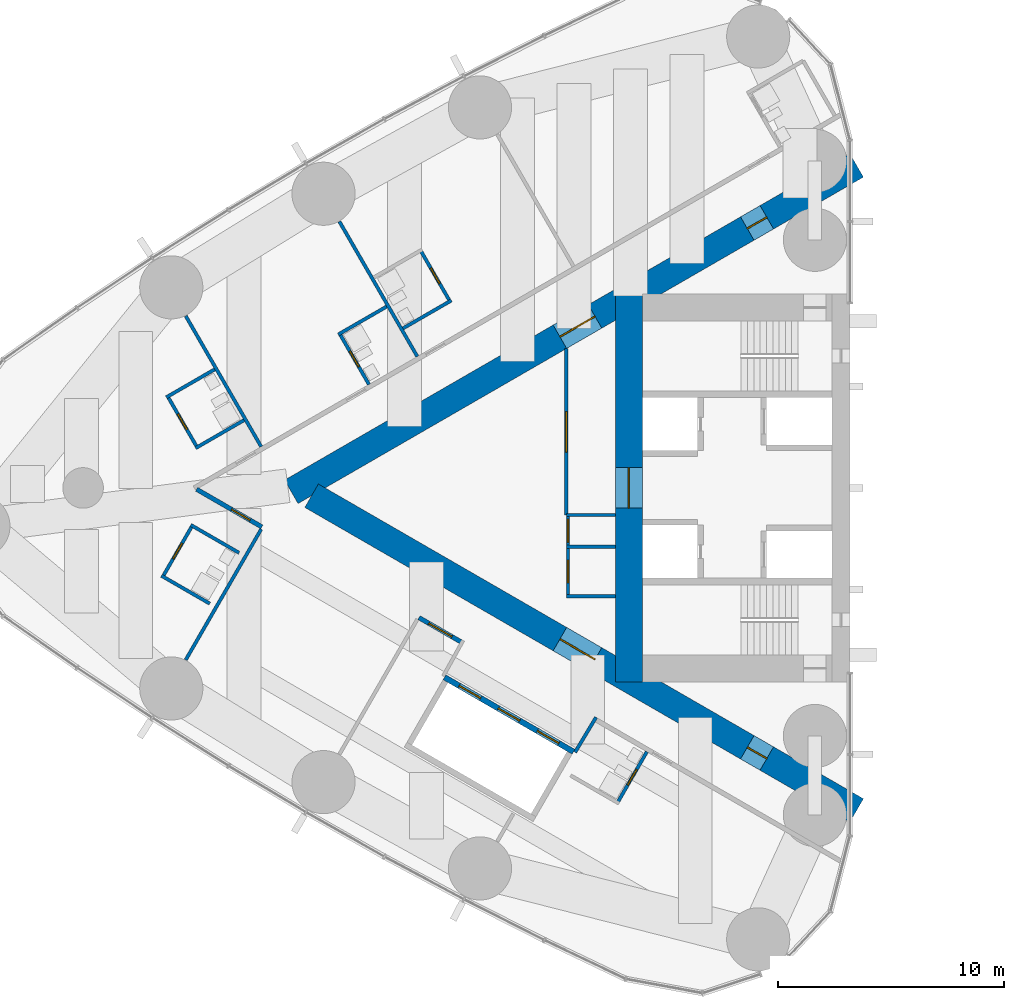
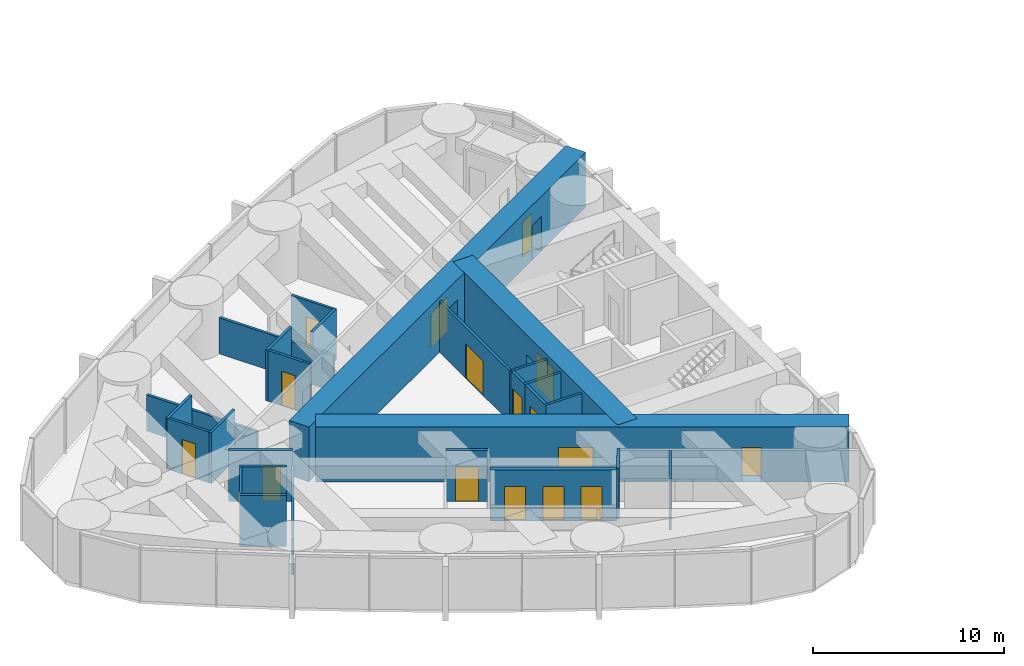
# One storey, part 12 of 19: 27 walls, 18 doors, 18 openings.
"""IFC4 building model written with IfcOpenShell, lengths in metres."""

from ifc_helpers import new_model, si_unit, direction, frame, frame_2d, origin, place, context, subcontext, project, spatial, rectangle, extrude, material, layer, layer_set, type_object, element, fill, save


model = new_model("IFC4")

# Units and contexts
model_context = context("Model", 3, precision=1e-05, world=origin(), true_north=direction((0.0, 1.0)))
body_context = subcontext(model_context, "Body", "Model", "MODEL_VIEW")
ifc_project = project(units=[si_unit("LENGTHUNIT", "METRE"), si_unit("AREAUNIT", "SQUARE_METRE"), si_unit("VOLUMEUNIT", "CUBIC_METRE"), si_unit("PLANEANGLEUNIT", "RADIAN"), si_unit("MASSUNIT", "GRAM", prefix="KILO")], contexts=[model_context])

# Site, building, storey
site_placement = place(None, origin())
site = spatial("IfcSite", under=ifc_project, at=site_placement, CompositionType="ELEMENT")
building_placement = place(site_placement, origin())
building = spatial("IfcBuilding", under=site, at=building_placement, Name="Lancet Gate Hotel", CompositionType="ELEMENT")
storey_placement = place(building_placement, frame((0.0, 0.0, 173.800048828125)))
storey = spatial("IfcBuildingStorey", under=building, at=storey_placement, Name="L46", CompositionType="ELEMENT", Elevation=173.800048828125)

# Wall, opening, door
ifc_material_1 = material(Name="Moisture resistant board partition")
ifc_layer_1 = layer(ifc_material_1, 0.14990234375)
ifc_layer_set_1 = layer_set([ifc_layer_1], Name="Bathroom wall 150")
wall_type_1 = type_object("IfcWallType", Name="Bathroom wall 150", PredefinedType="PARTITIONING", material=ifc_layer_set_1)
wall_1_placement = place(storey_placement, frame((-45.2353515625, 8.275146484375, 0.0), z_axis=(0.0, 0.0, 1.0), x_axis=(-0.500006934395, 0.866021400173, 0.0)))
wall_1 = element("IfcWall", 1, at=wall_1_placement, inside=storey, type_object=wall_type_1, Name="T1 bathroom wall 150 L46", PredefinedType="PARTITIONING", context=body_context, shape_type="SweptSolid", body=[
    extrude(rectangle(XDim=2.60009765625, YDim=0.14990234375, at=frame_2d((1.300048828125, 0.0))), origin(), (0.0, 0.0, 1.0), 3.25),
])
opening_1_placement = place(wall_1_placement, frame((0.89990234375, 0.0, 0.0)))
opening_1 = element("IfcOpeningElement", 2, at=opening_1_placement, cuts=wall_1, Name="Opening 4602-B", PredefinedType="OPENING", context=body_context, shape_type="SweptSolid", body=[
    extrude(rectangle(XDim=0.800048828125, YDim=2.199951171875, at=frame_2d((0.39990234375, 1.10009765625))), frame((0.0, 0.0849609375, 0.0), z_axis=(0.0, -1.0, 0.0), x_axis=(1.0, 0.0, 0.0)), (0.0, 0.0, 1.0), 0.169921875),
])
ifc_material_2 = material(Name="Timber door set", Category="wood")
door_type_1 = type_object("IfcDoorType", Name="Bathroom door 800", OperationType="SINGLE_SWING_RIGHT", PredefinedType="DOOR", material=ifc_material_2)
door_1_placement = place(opening_1_placement, origin())
door_1 = element("IfcDoor", 3, at=door_1_placement, inside=storey, type_object=door_type_1, Name="4602-B", OperationType="SINGLE_SWING_RIGHT", OverallHeight=2.199951171875, OverallWidth=0.800048828125, PredefinedType="DOOR", context=body_context, shape_type="SweptSolid", body=[
    extrude(rectangle(XDim=0.800048828125, YDim=2.199951171875, at=frame_2d((0.39990234375, 1.10009765625))), frame((0.0, 0.02490234375, 0.0), z_axis=(0.0, -1.0, 0.0), x_axis=(1.0, 0.0, 0.0)), (0.0, 0.0, 1.0), 0.050048828125),
])
fill(opening_1, door_1)

# Walls
for number, where, z_axis, x_axis, name in (
    (4, (-45.17041015625, 8.3125, 0.0), (0.0, 0.0, 1.0), (-0.866031185235, -0.4999899861, 0.0), "T1 bathroom wall 150 L46"),
    (5, (-48.043701171875, 8.039306640625, 0.0), (0.0, 0.0, 1.0), (-0.866031185235, -0.4999899861, 0.0), "T1 bathroom wall 150 L46"),
):
    element("IfcWall", number, at=place(storey_placement, frame(where, z_axis=z_axis, x_axis=x_axis)), inside=storey, type_object=wall_type_1, Name=name, PredefinedType="PARTITIONING", context=body_context, shape_type="SweptSolid", body=[
        extrude(rectangle(XDim=2.47509765625, YDim=0.14990234375, at=frame_2d((1.237548828125, 0.0))), origin(), (0.0, 0.0, 1.0), 3.25),
    ])

# Wall, opening, door
wall_2_placement = place(storey_placement, frame((-48.822265625, 4.587646484375, 0.0), z_axis=(0.0, 0.0, 1.0), x_axis=(-0.500006934395, 0.866021400173, 0.0)))
wall_2 = element("IfcWall", 6, at=wall_2_placement, inside=storey, type_object=wall_type_1, Name="T1 bathroom wall 150 L46", PredefinedType="PARTITIONING", context=body_context, shape_type="SweptSolid", body=[
    extrude(rectangle(XDim=2.60009765625, YDim=0.14990234375, at=frame_2d((1.300048828125, 0.0))), origin(), (0.0, 0.0, 1.0), 3.25),
])
opening_2_placement = place(wall_2_placement, frame((0.89990234375, 0.0, 0.0)))
opening_2 = element("IfcOpeningElement", 7, at=opening_2_placement, cuts=wall_2, Name="Opening 4603-B", PredefinedType="OPENING", context=body_context, shape_type="SweptSolid", body=[
    extrude(rectangle(XDim=0.800048828125, YDim=2.199951171875, at=frame_2d((0.39990234375, 1.10009765625))), frame((0.0, 0.0849609375, 0.0), z_axis=(0.0, -1.0, 0.0), x_axis=(1.0, 0.0, 0.0)), (0.0, 0.0, 1.0), 0.169921875),
])
door_2_placement = place(opening_2_placement, origin())
door_2 = element("IfcDoor", 8, at=door_2_placement, inside=storey, type_object=door_type_1, Name="4603-B", OperationType="SINGLE_SWING_RIGHT", OverallHeight=2.199951171875, OverallWidth=0.800048828125, PredefinedType="DOOR", context=body_context, shape_type="SweptSolid", body=[
    extrude(rectangle(XDim=0.800048828125, YDim=2.199951171875, at=frame_2d((0.39990234375, 1.10009765625))), frame((0.0, 0.02490234375, 0.0), z_axis=(0.0, -1.0, 0.0), x_axis=(1.0, 0.0, 0.0)), (0.0, 0.0, 1.0), 0.050048828125),
])
fill(opening_2, door_2)

# Wall
wall_3_placement = place(storey_placement, frame((-55.6669921875, 5.254638671875, 0.0), z_axis=(0.0, 0.0, 1.0), x_axis=(-0.866006523861, -0.500032699561, 0.0)))
element("IfcWall", 9, at=wall_3_placement, inside=storey, type_object=wall_type_1, Name="T1 bathroom wall 150 L46", PredefinedType="PARTITIONING", context=body_context, shape_type="SweptSolid", body=[
    extrude(rectangle(XDim=2.474853515625, YDim=0.14990234375, at=frame_2d((1.2373046875, 0.0))), origin(), (0.0, 0.0, 1.0), 3.25),
])

# Wall, opening, door
wall_4_placement = place(storey_placement, frame((-56.445556640625, 1.802978515625, 0.0), z_axis=(0.0, 0.0, 1.0), x_axis=(-0.499936506574, 0.866062058628, 0.0)))
wall_4 = element("IfcWall", 10, at=wall_4_placement, inside=storey, type_object=wall_type_1, Name="T1 bathroom wall 150 L46", PredefinedType="PARTITIONING", context=body_context, shape_type="SweptSolid", body=[
    extrude(rectangle(XDim=2.599853515625, YDim=0.14990234375, at=frame_2d((1.2998046875, 0.0))), origin(), (0.0, 0.0, 1.0), 3.25),
])
opening_3_placement = place(wall_4_placement, frame((0.89990234375, 0.0, 0.0)))
opening_3 = element("IfcOpeningElement", 11, at=opening_3_placement, cuts=wall_4, Name="Opening 4604-B", PredefinedType="OPENING", context=body_context, shape_type="SweptSolid", body=[
    extrude(rectangle(XDim=0.800048828125, YDim=2.199951171875, at=frame_2d((0.39990234375, 1.10009765625))), frame((0.0, 0.0849609375, 0.0), z_axis=(0.0, -1.0, 0.0), x_axis=(1.0, 0.0, 0.0)), (0.0, 0.0, 1.0), 0.169921875),
])
door_3_placement = place(opening_3_placement, origin())
door_3 = element("IfcDoor", 12, at=door_3_placement, inside=storey, type_object=door_type_1, Name="4604-B", OperationType="SINGLE_SWING_RIGHT", OverallHeight=2.199951171875, OverallWidth=0.800048828125, PredefinedType="DOOR", context=body_context, shape_type="SweptSolid", body=[
    extrude(rectangle(XDim=0.800048828125, YDim=2.199951171875, at=frame_2d((0.39990234375, 1.10009765625))), frame((0.0, 0.02490234375, 0.0), z_axis=(0.0, -1.0, 0.0), x_axis=(1.0, 0.0, 0.0)), (0.0, 0.0, 1.0), 0.050048828125),
])
fill(opening_3, door_3)

# Walls
wall_5_placement = place(storey_placement, frame((-54.366943359375, 3.0029296875, 0.0), z_axis=(0.0, 0.0, 1.0), x_axis=(-0.866031185235, -0.4999899861, 0.0)))
element("IfcWall", 13, at=wall_5_placement, inside=storey, type_object=wall_type_1, Name="T1 bathroom wall 150 L46", PredefinedType="PARTITIONING", context=body_context, shape_type="SweptSolid", body=[
    extrude(rectangle(XDim=2.47509765625, YDim=0.14990234375, at=frame_2d((1.237548828125, 0.0))), origin(), (0.0, 0.0, 1.0), 3.25),
])
wall_6_placement = place(storey_placement, frame((-55.883544921875, -5.129638671875, 0.0), z_axis=(0.0, 0.0, 1.0), x_axis=(-0.866006523861, 0.500032699561, 0.0)))
element("IfcWall", 14, at=wall_6_placement, inside=storey, type_object=wall_type_1, Name="T1 bathroom wall 150 L46", PredefinedType="PARTITIONING", context=body_context, shape_type="SweptSolid", body=[
    extrude(rectangle(XDim=2.474853515625, YDim=0.14990234375, at=frame_2d((1.2373046875, 0.0))), origin(), (0.0, 0.0, 1.0), 3.25),
])

# Wall, opening, door
wall_7_placement = place(storey_placement, frame((-56.661865234375, -1.677978515625, 0.0), z_axis=(0.0, 0.0, 1.0), x_axis=(-0.500006934395, -0.866021400173, 0.0)))
wall_7 = element("IfcWall", 15, at=wall_7_placement, inside=storey, type_object=wall_type_1, Name="T1 bathroom wall 150 L46", PredefinedType="PARTITIONING", context=body_context, shape_type="SweptSolid", body=[
    extrude(rectangle(XDim=2.60009765625, YDim=0.14990234375, at=frame_2d((1.300048828125, 0.0))), origin(), (0.0, 0.0, 1.0), 3.25),
])
opening_4_placement = place(wall_7_placement, frame((0.89990234375, 0.0, 0.0)))
opening_4 = element("IfcOpeningElement", 16, at=opening_4_placement, cuts=wall_7, Name="Opening 4605-B", PredefinedType="OPENING", context=body_context, shape_type="SweptSolid", body=[
    extrude(rectangle(XDim=0.800048828125, YDim=2.199951171875, at=frame_2d((0.39990234375, 1.10009765625))), frame((0.0, 0.0849609375, 0.0), z_axis=(0.0, -1.0, 0.0), x_axis=(1.0, 0.0, 0.0)), (0.0, 0.0, 1.0), 0.169921875),
])
door_4_placement = place(opening_4_placement, origin())
door_4 = element("IfcDoor", 17, at=door_4_placement, inside=storey, type_object=door_type_1, Name="4605-B", OperationType="SINGLE_SWING_RIGHT", OverallHeight=2.199951171875, OverallWidth=0.800048828125, PredefinedType="DOOR", context=body_context, shape_type="SweptSolid", body=[
    extrude(rectangle(XDim=0.800048828125, YDim=2.199951171875, at=frame_2d((0.39990234375, 1.10009765625))), frame((0.0, 0.02490234375, 0.0), z_axis=(0.0, -1.0, 0.0), x_axis=(1.0, 0.0, 0.0)), (0.0, 0.0, 1.0), 0.050048828125),
])
fill(opening_4, door_4)

# Wall
wall_8_placement = place(storey_placement, frame((-54.58349609375, -2.8779296875, 0.0), z_axis=(0.0, 0.0, 1.0), x_axis=(-0.866006523861, 0.500032699561, 0.0)))
element("IfcWall", 18, at=wall_8_placement, inside=storey, type_object=wall_type_1, Name="T1 bathroom wall 150 L46", PredefinedType="PARTITIONING", context=body_context, shape_type="SweptSolid", body=[
    extrude(rectangle(XDim=2.474853515625, YDim=0.14990234375, at=frame_2d((1.2373046875, 0.0))), origin(), (0.0, 0.0, 1.0), 3.25),
])

# Wall, opening, door
wall_9_placement = place(storey_placement, frame((-36.5029296875, -11.7001953125, 0.0), z_axis=(0.0, 0.0, 1.0), x_axis=(-0.500006934395, -0.866021400173, 0.0)))
wall_9 = element("IfcWall", 19, at=wall_9_placement, inside=storey, type_object=wall_type_1, Name="T1 bathroom wall 150 L46", PredefinedType="PARTITIONING", context=body_context, shape_type="SweptSolid", body=[
    extrude(rectangle(XDim=2.60009765625, YDim=0.14990234375, at=frame_2d((1.300048828125, 0.0))), origin(), (0.0, 0.0, 1.0), 3.25),
])
opening_5_placement = place(wall_9_placement, frame((0.89990234375, 0.0, 0.0)))
opening_5 = element("IfcOpeningElement", 20, at=opening_5_placement, cuts=wall_9, Name="Opening 4608-B", PredefinedType="OPENING", context=body_context, shape_type="SweptSolid", body=[
    extrude(rectangle(XDim=0.800048828125, YDim=2.199951171875, at=frame_2d((0.39990234375, 1.10009765625))), frame((0.0, 0.0849609375, 0.0), z_axis=(0.0, -1.0, 0.0), x_axis=(1.0, 0.0, 0.0)), (0.0, 0.0, 1.0), 0.169921875),
])
door_5_placement = place(opening_5_placement, origin())
door_5 = element("IfcDoor", 21, at=door_5_placement, inside=storey, type_object=door_type_1, Name="4608-B", OperationType="SINGLE_SWING_RIGHT", OverallHeight=2.199951171875, OverallWidth=0.800048828125, PredefinedType="DOOR", context=body_context, shape_type="SweptSolid", body=[
    extrude(rectangle(XDim=0.800048828125, YDim=2.199951171875, at=frame_2d((0.39990234375, 1.10009765625))), frame((0.0, 0.02490234375, 0.0), z_axis=(0.0, -1.0, 0.0), x_axis=(1.0, 0.0, 0.0)), (0.0, 0.0, 1.0), 0.050048828125),
])
fill(opening_5, door_5)

# Wall, openings, doors
ifc_material_3 = material(Name="Concrete C70/85", Category="concrete")
ifc_layer_2 = layer(ifc_material_3, 1.199951171875)
ifc_layer_set_2 = layer_set([ifc_layer_2], Name="Buttress wall 1200")
wall_type_2 = type_object("IfcWallType", Name="Buttress wall 1200", PredefinedType="SHEAR", material=ifc_layer_set_2)
wall_10_placement = place(storey_placement, frame((-27.199951171875, 14.300048828125, 0.0), z_axis=(0.0, 0.0, 1.0), x_axis=(-0.866026593062, -0.499997940104, 0.0)))
wall_10 = element("IfcWall", 22, at=wall_10_placement, inside=storey, type_object=wall_type_2, Name="T1 buttress wall S L46", PredefinedType="SHEAR", context=body_context, shape_type="SweptSolid", body=[
    extrude(rectangle(XDim=28.9462890625, YDim=1.199951171875, at=frame_2d((14.47314453125, 0.0))), origin(), (0.0, 0.0, 1.0), 3.5),
])
opening_6_placement = place(wall_10_placement, frame((4.60009765625, 0.0, 0.0)))
opening_6 = element("IfcOpeningElement", 23, at=opening_6_placement, cuts=wall_10, Name="Opening T1-L46-LS", PredefinedType="OPENING", context=body_context, shape_type="SweptSolid", body=[
    extrude(rectangle(XDim=1.0, YDim=2.199951171875, at=frame_2d((0.5, 1.10009765625))), frame((0.0, 0.60986328125, 0.0), z_axis=(0.0, -1.0, 0.0), x_axis=(1.0, 0.0, 0.0)), (0.0, 0.0, 1.0), 1.219970703125),
])
opening_7_placement = place(wall_10_placement, frame((13.39453125, 0.0, 0.0)))
opening_7 = element("IfcOpeningElement", 24, at=opening_7_placement, cuts=wall_10, Name="Opening T1-L46-LHS", PredefinedType="OPENING", context=body_context, shape_type="SweptSolid", body=[
    extrude(rectangle(XDim=1.800048828125, YDim=2.199951171875, at=frame_2d((0.89990234375, 1.10009765625))), frame((0.0, 0.60986328125, 0.0), z_axis=(0.0, -1.0, 0.0), x_axis=(1.0, 0.0, 0.0)), (0.0, 0.0, 1.0), 1.219970703125),
])
ifc_material_4 = material(Name="Timber door set", Category="wood")
door_type_2 = type_object("IfcDoorType", Name="Lobby double door 1800", OperationType="DOUBLE_DOOR_SINGLE_SWING", PredefinedType="DOOR", material=ifc_material_4)
door_6_placement = place(opening_7_placement, origin())
door_6 = element("IfcDoor", 25, at=door_6_placement, inside=storey, type_object=door_type_2, Name="T1-L46-LHS", OperationType="DOUBLE_DOOR_SINGLE_SWING", OverallHeight=2.199951171875, OverallWidth=1.800048828125, PredefinedType="DOOR", context=body_context, shape_type="SweptSolid", body=[
    extrude(rectangle(XDim=1.800048828125, YDim=2.199951171875, at=frame_2d((0.89990234375, 1.10009765625))), frame((0.0, 0.02490234375, 0.0), z_axis=(0.0, -1.0, 0.0), x_axis=(1.0, 0.0, 0.0)), (0.0, 0.0, 1.0), 0.050048828125),
])
fill(opening_7, door_6)
ifc_material_5 = material(Name="Timber door set", Category="wood")
door_type_3 = type_object("IfcDoorType", Name="Stair lobby door 1000", OperationType="SINGLE_SWING_LEFT", PredefinedType="DOOR", material=ifc_material_5)
door_7_placement = place(opening_6_placement, origin())
door_7 = element("IfcDoor", 26, at=door_7_placement, inside=storey, type_object=door_type_3, Name="T1-L46-LS", OperationType="SINGLE_SWING_LEFT", OverallHeight=2.199951171875, OverallWidth=1.0, PredefinedType="DOOR", context=body_context, shape_type="SweptSolid", body=[
    extrude(rectangle(XDim=1.0, YDim=2.199951171875, at=frame_2d((0.5, 1.10009765625))), frame((0.0, 0.02490234375, 0.0), z_axis=(0.0, -1.0, 0.0), x_axis=(1.0, 0.0, 0.0)), (0.0, 0.0, 1.0), 0.050048828125),
])
fill(opening_6, door_7)

wall_11_placement = place(storey_placement, frame((-27.199951171875, -14.300048828125, 0.0), z_axis=(0.0, 0.0, 1.0), x_axis=(-0.866024021859, 0.500002393557, 0.0)))
wall_11 = element("IfcWall", 27, at=wall_11_placement, inside=storey, type_object=wall_type_2, Name="T1 buttress wall N L46", PredefinedType="SHEAR", context=body_context, shape_type="SweptSolid", body=[
    extrude(rectangle(XDim=27.906982421875, YDim=1.199951171875, at=frame_2d((13.95361328125, 0.0))), origin(), (0.0, 0.0, 1.0), 3.5),
])
opening_8_placement = place(wall_11_placement, frame((4.60009765625, 0.0, 0.0)))
opening_8 = element("IfcOpeningElement", 28, at=opening_8_placement, cuts=wall_11, Name="Opening T1-L46-LN", PredefinedType="OPENING", context=body_context, shape_type="SweptSolid", body=[
    extrude(rectangle(XDim=1.0, YDim=2.199951171875, at=frame_2d((0.5, 1.10009765625))), frame((0.0, 0.60986328125, 0.0), z_axis=(0.0, -1.0, 0.0), x_axis=(1.0, 0.0, 0.0)), (0.0, 0.0, 1.0), 1.219970703125),
])
opening_9_placement = place(wall_11_placement, frame((13.39453125, 0.0, 0.0)))
opening_9 = element("IfcOpeningElement", 29, at=opening_9_placement, cuts=wall_11, Name="Opening T1-L46-LHN", PredefinedType="OPENING", context=body_context, shape_type="SweptSolid", body=[
    extrude(rectangle(XDim=1.800048828125, YDim=2.199951171875, at=frame_2d((0.89990234375, 1.10009765625))), frame((0.0, 0.60986328125, 0.0), z_axis=(0.0, -1.0, 0.0), x_axis=(1.0, 0.0, 0.0)), (0.0, 0.0, 1.0), 1.219970703125),
])
door_8_placement = place(opening_9_placement, origin())
door_8 = element("IfcDoor", 30, at=door_8_placement, inside=storey, type_object=door_type_2, Name="T1-L46-LHN", OperationType="DOUBLE_DOOR_SINGLE_SWING", OverallHeight=2.199951171875, OverallWidth=1.800048828125, PredefinedType="DOOR", context=body_context, shape_type="SweptSolid", body=[
    extrude(rectangle(XDim=1.800048828125, YDim=2.199951171875, at=frame_2d((0.89990234375, 1.10009765625))), frame((0.0, 0.02490234375, 0.0), z_axis=(0.0, -1.0, 0.0), x_axis=(1.0, 0.0, 0.0)), (0.0, 0.0, 1.0), 0.050048828125),
])
fill(opening_9, door_8)
door_9_placement = place(opening_8_placement, origin())
door_9 = element("IfcDoor", 31, at=door_9_placement, inside=storey, type_object=door_type_3, Name="T1-L46-LN", OperationType="SINGLE_SWING_LEFT", OverallHeight=2.199951171875, OverallWidth=1.0, PredefinedType="DOOR", context=body_context, shape_type="SweptSolid", body=[
    extrude(rectangle(XDim=1.0, YDim=2.199951171875, at=frame_2d((0.5, 1.10009765625))), frame((0.0, 0.02490234375, 0.0), z_axis=(0.0, -1.0, 0.0), x_axis=(1.0, 0.0, 0.0)), (0.0, 0.0, 1.0), 0.050048828125),
])
fill(opening_8, door_9)

# Wall, opening, door
ifc_material_6 = material(Name="Concrete C70/85", Category="concrete")
ifc_layer_3 = layer(ifc_material_6, 1.199951171875)
ifc_layer_set_3 = layer_set([ifc_layer_3], Name="Core wall 1200")
wall_type_3 = type_object("IfcWallType", Name="Core wall 1200", PredefinedType="SHEAR", material=ifc_layer_set_3)
wall_12_placement = place(storey_placement, frame((-37.300048828125, 8.60009765625, 0.0), z_axis=(0.0, 0.0, 1.0), x_axis=(0.0, -1.0, 0.0)))
wall_12 = element("IfcWall", 32, at=wall_12_placement, inside=storey, type_object=wall_type_3, Name="T1 core wall back L46", PredefinedType="SHEAR", context=body_context, shape_type="SweptSolid", body=[
    extrude(rectangle(XDim=17.2001953125, YDim=1.199951171875, at=frame_2d((8.60009765625, 0.0))), origin(), (0.0, 0.0, 1.0), 3.5),
])
opening_10_placement = place(wall_12_placement, frame((7.699951171875, 0.0, 0.0)))
opening_10 = element("IfcOpeningElement", 33, at=opening_10_placement, cuts=wall_12, Name="Opening T1-L46-LL", PredefinedType="OPENING", context=body_context, shape_type="SweptSolid", body=[
    extrude(rectangle(XDim=1.800048828125, YDim=2.199951171875, at=frame_2d((0.89990234375, 1.10009765625))), frame((0.0, 0.60986328125, 0.0), z_axis=(0.0, -1.0, 0.0), x_axis=(1.0, 0.0, 0.0)), (0.0, 0.0, 1.0), 1.219970703125),
])
door_10_placement = place(opening_10_placement, origin())
door_10 = element("IfcDoor", 34, at=door_10_placement, inside=storey, type_object=door_type_2, Name="T1-L46-LL", OperationType="DOUBLE_DOOR_SINGLE_SWING", OverallHeight=2.199951171875, OverallWidth=1.800048828125, PredefinedType="DOOR", context=body_context, shape_type="SweptSolid", body=[
    extrude(rectangle(XDim=1.800048828125, YDim=2.199951171875, at=frame_2d((0.89990234375, 1.10009765625))), frame((0.0, 0.02490234375, 0.0), z_axis=(0.0, -1.0, 0.0), x_axis=(1.0, 0.0, 0.0)), (0.0, 0.0, 1.0), 0.050048828125),
])
fill(opening_10, door_10)

ifc_material_7 = material(Name="Gypsum board partition")
ifc_layer_4 = layer(ifc_material_7, 0.199951171875)
ifc_layer_set_4 = layer_set([ifc_layer_4], Name="Corridor wall 200")
wall_type_4 = type_object("IfcWallType", Name="Corridor wall 200", PredefinedType="PARTITIONING", material=ifc_layer_set_4)
wall_13_placement = place(storey_placement, frame((-44.715087890625, -6.843505859375, 0.0), z_axis=(0.0, 0.0, 1.0), x_axis=(-0.865999496279, 0.500044870432, 0.0)))
wall_13 = element("IfcWall", 35, at=wall_13_placement, inside=storey, type_object=wall_type_4, Name="T1 corridor wall 200 L46", PredefinedType="PARTITIONING", context=body_context, shape_type="SweptSolid", body=[
    extrude(rectangle(XDim=2.184814453125, YDim=0.199951171875, at=frame_2d((1.09228515625, 0.0))), origin(), (0.0, 0.0, 1.0), 3.25),
])
opening_11_placement = place(wall_13_placement, frame((0.5, 0.0, 0.0)))
opening_11 = element("IfcOpeningElement", 36, at=opening_11_placement, cuts=wall_13, Name="Opening T1-L46-LO1", PredefinedType="OPENING", context=body_context, shape_type="SweptSolid", body=[
    extrude(rectangle(XDim=1.18505859375, YDim=2.199951171875, at=frame_2d((0.592529296875, 1.10009765625))), frame((0.0, 0.10986328125, 0.0), z_axis=(0.0, -1.0, 0.0), x_axis=(1.0, 0.0, 0.0)), (0.0, 0.0, 1.0), 0.219970703125),
])
ifc_material_8 = material(Name="Timber door set", Category="wood")
door_type_4 = type_object("IfcDoorType", Name="Guest room entry door 950", OperationType="SINGLE_SWING_LEFT", PredefinedType="DOOR", material=ifc_material_8)
door_11_placement = place(opening_11_placement, origin())
door_11 = element("IfcDoor", 37, at=door_11_placement, inside=storey, type_object=door_type_4, Name="T1-L46-LO1", OperationType="SINGLE_SWING_LEFT", OverallHeight=2.199951171875, OverallWidth=1.18505859375, PredefinedType="DOOR", context=body_context, shape_type="SweptSolid", body=[
    extrude(rectangle(XDim=1.18505859375, YDim=2.199951171875, at=frame_2d((0.592529296875, 1.10009765625))), frame((0.0, 0.02490234375, 0.0), z_axis=(0.0, -1.0, 0.0), x_axis=(1.0, 0.0, 0.0)), (0.0, 0.0, 1.0), 0.050048828125),
])
fill(opening_11, door_11)

wall_14_placement = place(storey_placement, frame((-53.57373046875, -1.72900390625, 0.0), z_axis=(0.0, 0.0, 1.0), x_axis=(-0.866019930389, 0.500009480079, 0.0)))
wall_14 = element("IfcWall", 38, at=wall_14_placement, inside=storey, type_object=wall_type_4, Name="T1 corridor wall 200 L46", PredefinedType="PARTITIONING", context=body_context, shape_type="SweptSolid", body=[
    extrude(rectangle(XDim=3.337890625, YDim=0.199951171875, at=frame_2d((1.6689453125, 0.0))), origin(), (0.0, 0.0, 1.0), 3.25),
])
opening_12_placement = place(wall_14_placement, frame((0.60009765625, 0.0, 0.0)))
opening_12 = element("IfcOpeningElement", 39, at=opening_12_placement, cuts=wall_14, Name="Opening 4605-E", PredefinedType="OPENING", context=body_context, shape_type="SweptSolid", body=[
    extrude(rectangle(XDim=0.949951171875, YDim=2.199951171875, at=frame_2d((0.47509765625, 1.10009765625))), frame((0.0, 0.10986328125, 0.0), z_axis=(0.0, -1.0, 0.0), x_axis=(1.0, 0.0, 0.0)), (0.0, 0.0, 1.0), 0.219970703125),
])
door_12_placement = place(opening_12_placement, origin())
door_12 = element("IfcDoor", 40, at=door_12_placement, inside=storey, type_object=door_type_4, Name="4605-E", OperationType="SINGLE_SWING_LEFT", OverallHeight=2.199951171875, OverallWidth=0.949951171875, PredefinedType="DOOR", context=body_context, shape_type="SweptSolid", body=[
    extrude(rectangle(XDim=0.949951171875, YDim=2.199951171875, at=frame_2d((0.47509765625, 1.10009765625))), frame((0.0, 0.02490234375, 0.0), z_axis=(0.0, -1.0, 0.0), x_axis=(1.0, 0.0, 0.0)), (0.0, 0.0, 1.0), 0.050048828125),
])
fill(opening_12, door_12)

# Wall, openings, doors
ifc_material_9 = material(Name="Gypsum board partition")
ifc_layer_5 = layer(ifc_material_9, 0.25)
ifc_layer_set_5 = layer_set([ifc_layer_5], Name="Lift shaft partition 250")
wall_type_5 = type_object("IfcWallType", Name="Lift shaft partition 250", PredefinedType="PARTITIONING", material=ifc_layer_set_5)
wall_15_placement = place(storey_placement, frame((-39.757568359375, -11.697265625, 0.0), z_axis=(0.0, 0.0, 1.0), x_axis=(-0.866024194504, 0.500002094529, 0.0)))
wall_15 = element("IfcWall", 41, at=wall_15_placement, inside=storey, type_object=wall_type_5, Name="T1 lift shaft wall HL L46", PredefinedType="PARTITIONING", context=body_context, shape_type="SweptSolid", body=[
    extrude(rectangle(XDim=6.60009765625, YDim=0.25, at=frame_2d((3.300048828125, 0.0))), origin(), (0.0, 0.0, 1.0), 3.25),
])
opening_13_placement = place(wall_15_placement, frame((0.75, 0.0, 0.0)))
opening_13 = element("IfcOpeningElement", 42, at=opening_13_placement, cuts=wall_15, Name="Opening T1-HL1-L46", PredefinedType="OPENING", context=body_context, shape_type="SweptSolid", body=[
    extrude(rectangle(XDim=1.10009765625, YDim=2.199951171875, at=frame_2d((0.550048828125, 1.10009765625))), frame((0.0, 0.135009765625, 0.0), z_axis=(0.0, -1.0, 0.0), x_axis=(1.0, 0.0, 0.0)), (0.0, 0.0, 1.0), 0.27001953125),
])
opening_14_placement = place(wall_15_placement, frame((2.75, 0.0, 0.0)))
opening_14 = element("IfcOpeningElement", 43, at=opening_14_placement, cuts=wall_15, Name="Opening T1-HL2-L46", PredefinedType="OPENING", context=body_context, shape_type="SweptSolid", body=[
    extrude(rectangle(XDim=1.10009765625, YDim=2.199951171875, at=frame_2d((0.550048828125, 1.10009765625))), frame((0.0, 0.135009765625, 0.0), z_axis=(0.0, -1.0, 0.0), x_axis=(1.0, 0.0, 0.0)), (0.0, 0.0, 1.0), 0.27001953125),
])
opening_15_placement = place(wall_15_placement, frame((4.75, 0.0, 0.0)))
opening_15 = element("IfcOpeningElement", 44, at=opening_15_placement, cuts=wall_15, Name="Opening T1-HL3-L46", PredefinedType="OPENING", context=body_context, shape_type="SweptSolid", body=[
    extrude(rectangle(XDim=1.10009765625, YDim=2.199951171875, at=frame_2d((0.550048828125, 1.10009765625))), frame((0.0, 0.135009765625, 0.0), z_axis=(0.0, -1.0, 0.0), x_axis=(1.0, 0.0, 0.0)), (0.0, 0.0, 1.0), 0.27001953125),
])
ifc_material_10 = material(Name="Steel door set", Category="steel")
door_type_5 = type_object("IfcDoorType", Name="Lift landing door 1100", OperationType="DOUBLE_DOOR_SLIDING", PredefinedType="USERDEFINED", material=ifc_material_10)
door_13_placement = place(opening_13_placement, origin())
door_13 = element("IfcDoor", 45, at=door_13_placement, inside=storey, type_object=door_type_5, Name="T1-HL1-L46", ObjectType="LIFT LANDING DOOR", OperationType="DOUBLE_DOOR_SLIDING", OverallHeight=2.199951171875, OverallWidth=1.10009765625, PredefinedType="USERDEFINED", context=body_context, shape_type="SweptSolid", body=[
    extrude(rectangle(XDim=1.10009765625, YDim=2.199951171875, at=frame_2d((0.550048828125, 1.10009765625))), frame((0.0, 0.02490234375, 0.0), z_axis=(0.0, -1.0, 0.0), x_axis=(1.0, 0.0, 0.0)), (0.0, 0.0, 1.0), 0.050048828125),
])
fill(opening_13, door_13)
door_14_placement = place(opening_14_placement, origin())
door_14 = element("IfcDoor", 46, at=door_14_placement, inside=storey, type_object=door_type_5, Name="T1-HL2-L46", ObjectType="LIFT LANDING DOOR", OperationType="DOUBLE_DOOR_SLIDING", OverallHeight=2.199951171875, OverallWidth=1.10009765625, PredefinedType="USERDEFINED", context=body_context, shape_type="SweptSolid", body=[
    extrude(rectangle(XDim=1.10009765625, YDim=2.199951171875, at=frame_2d((0.550048828125, 1.10009765625))), frame((0.0, 0.02490234375, 0.0), z_axis=(0.0, -1.0, 0.0), x_axis=(1.0, 0.0, 0.0)), (0.0, 0.0, 1.0), 0.050048828125),
])
fill(opening_14, door_14)
door_15_placement = place(opening_15_placement, origin())
door_15 = element("IfcDoor", 47, at=door_15_placement, inside=storey, type_object=door_type_5, Name="T1-HL3-L46", ObjectType="LIFT LANDING DOOR", OperationType="DOUBLE_DOOR_SLIDING", OverallHeight=2.199951171875, OverallWidth=1.10009765625, PredefinedType="USERDEFINED", context=body_context, shape_type="SweptSolid", body=[
    extrude(rectangle(XDim=1.10009765625, YDim=2.199951171875, at=frame_2d((0.550048828125, 1.10009765625))), frame((0.0, 0.02490234375, 0.0), z_axis=(0.0, -1.0, 0.0), x_axis=(1.0, 0.0, 0.0)), (0.0, 0.0, 1.0), 0.050048828125),
])
fill(opening_15, door_15)

# Walls
ifc_material_11 = material(Name="Gypsum board partition")
ifc_layer_6 = layer(ifc_material_11, 0.14990234375)
ifc_layer_set_6 = layer_set([ifc_layer_6], Name="Party wall 150")
wall_type_6 = type_object("IfcWallType", Name="Party wall 150", PredefinedType="PARTITIONING", material=ifc_layer_set_6)
wall_16_placement = place(storey_placement, frame((-46.6787109375, 5.8251953125, 0.0), z_axis=(0.0, 0.0, 1.0), x_axis=(-0.500006839597, 0.866021454905, 0.0)))
element("IfcWall", 48, at=wall_16_placement, inside=storey, type_object=wall_type_6, Name="T1 party wall 150 L46", PredefinedType="PARTITIONING", context=body_context, shape_type="SweptSolid", body=[
    extrude(rectangle(XDim=6.9111328125, YDim=0.14990234375, at=frame_2d((3.45556640625, 0.0))), origin(), (0.0, 0.0, 1.0), 2.300048828125),
])
for number, where, z_axis, x_axis, name in (
    (49, (-53.60205078125, 1.828125, 0.0), (0.0, 0.0, 1.0), (-0.49999191814, 0.866030069798, 0.0), "T1 party wall 150 L46"),
    (50, (-53.60205078125, -1.828125, 0.0), (0.0, 0.0, 1.0), (-0.49999191814, -0.866030069798, 0.0), "T1 party wall 150 L46"),
):
    element("IfcWall", number, at=place(storey_placement, frame(where, z_axis=z_axis, x_axis=x_axis)), inside=storey, type_object=wall_type_6, Name=name, PredefinedType="PARTITIONING", context=body_context, shape_type="SweptSolid", body=[
        extrude(rectangle(XDim=6.6923828125, YDim=0.14990234375, at=frame_2d((3.34619140625, 0.0))), origin(), (0.0, 0.0, 1.0), 2.300048828125),
    ])
ifc_material_12 = material(Name="Gypsum board partition")
ifc_layer_7 = layer(ifc_material_12, 0.14990234375)
ifc_layer_set_7 = layer_set([ifc_layer_7], Name="Service room wall 150")
wall_type_7 = type_object("IfcWallType", Name="Service room wall 150", PredefinedType="PARTITIONING", material=ifc_layer_set_7)
wall_17_placement = place(storey_placement, frame((-39.6826171875, -11.717529296875, 0.0), z_axis=(0.0, 0.0, 1.0), x_axis=(0.514336634837, 0.857588377991, 0.0)))
element("IfcWall", 51, at=wall_17_placement, inside=storey, type_object=wall_type_7, Name="T1 service room wall 150 L46", PredefinedType="PARTITIONING", context=body_context, shape_type="SweptSolid", body=[
    extrude(rectangle(XDim=1.80517578125, YDim=0.14990234375, at=frame_2d((0.902587890625, 0.0))), origin(), (0.0, 0.0, 1.0), 3.25),
])
for number, where, z_axis, x_axis, name in (
    (52, (-37.89990234375, -1.199951171875, 0.0), (0.0, 0.0, 1.0), (-1.0, 0.0, 0.0), "T1 service room wall 150 L46"),
    (53, (-37.89990234375, -2.60009765625, 0.0), (0.0, 0.0, 1.0), (-1.0, 0.0, 0.0), "T1 service room wall 150 L46"),
    (54, (-37.89990234375, -4.800048828125, 0.0), (0.0, 0.0, 1.0), (-1.0, 0.0, 0.0), "T1 service room wall 150 L46"),
):
    element("IfcWall", number, at=place(storey_placement, frame(where, z_axis=z_axis, x_axis=x_axis)), inside=storey, type_object=wall_type_7, Name=name, PredefinedType="PARTITIONING", context=body_context, shape_type="SweptSolid", body=[
        extrude(rectangle(XDim=2.175048828125, YDim=0.14990234375, at=frame_2d((1.08740234375, 0.0))), origin(), (0.0, 0.0, 1.0), 3.25),
    ])

# Wall, opening, door
wall_18_placement = place(storey_placement, frame((-40.0, -1.125, 0.0), z_axis=(0.0, 0.0, 1.0), x_axis=(0.0, -1.0, 0.0)))
wall_18 = element("IfcWall", 55, at=wall_18_placement, inside=storey, type_object=wall_type_7, Name="T1 service room wall 150 L46", PredefinedType="PARTITIONING", context=body_context, shape_type="SweptSolid", body=[
    extrude(rectangle(XDim=1.550048828125, YDim=0.14990234375, at=frame_2d((0.77490234375, 0.0))), origin(), (0.0, 0.0, 1.0), 3.25),
])
opening_16_placement = place(wall_18_placement, frame((0.27490234375, 0.0, 0.0)))
opening_16 = element("IfcOpeningElement", 56, at=opening_16_placement, cuts=wall_18, Name="Opening T1-L46-HRN0", PredefinedType="OPENING", context=body_context, shape_type="SweptSolid", body=[
    extrude(rectangle(XDim=1.0, YDim=2.199951171875, at=frame_2d((0.5, 1.10009765625))), frame((0.0, 0.0849609375, 0.0), z_axis=(0.0, -1.0, 0.0), x_axis=(1.0, 0.0, 0.0)), (0.0, 0.0, 1.0), 0.169921875),
])
ifc_material_13 = material(Name="Timber door set", Category="wood")
door_type_6 = type_object("IfcDoorType", Name="Service door 1000", OperationType="SINGLE_SWING_LEFT", PredefinedType="DOOR", material=ifc_material_13)
door_16_placement = place(opening_16_placement, origin())
door_16 = element("IfcDoor", 57, at=door_16_placement, inside=storey, type_object=door_type_6, Name="T1-L46-HRN0", OperationType="SINGLE_SWING_LEFT", OverallHeight=2.199951171875, OverallWidth=1.0, PredefinedType="DOOR", context=body_context, shape_type="SweptSolid", body=[
    extrude(rectangle(XDim=1.0, YDim=2.199951171875, at=frame_2d((0.5, 1.10009765625))), frame((0.0, 0.02490234375, 0.0), z_axis=(0.0, -1.0, 0.0), x_axis=(1.0, 0.0, 0.0)), (0.0, 0.0, 1.0), 0.050048828125),
])
fill(opening_16, door_16)

wall_19_placement = place(storey_placement, frame((-40.0, -2.52490234375, 0.0), z_axis=(0.0, 0.0, 1.0), x_axis=(0.0, -1.0, 0.0)))
wall_19 = element("IfcWall", 58, at=wall_19_placement, inside=storey, type_object=wall_type_7, Name="T1 service room wall 150 L46", PredefinedType="PARTITIONING", context=body_context, shape_type="SweptSolid", body=[
    extrude(rectangle(XDim=2.35009765625, YDim=0.14990234375, at=frame_2d((1.175048828125, 0.0))), origin(), (0.0, 0.0, 1.0), 3.25),
])
opening_17_placement = place(wall_19_placement, frame((0.675048828125, 0.0, 0.0)))
opening_17 = element("IfcOpeningElement", 59, at=opening_17_placement, cuts=wall_19, Name="Opening T1-L46-HRN1", PredefinedType="OPENING", context=body_context, shape_type="SweptSolid", body=[
    extrude(rectangle(XDim=1.0, YDim=2.199951171875, at=frame_2d((0.5, 1.10009765625))), frame((0.0, 0.0849609375, 0.0), z_axis=(0.0, -1.0, 0.0), x_axis=(1.0, 0.0, 0.0)), (0.0, 0.0, 1.0), 0.169921875),
])
door_17_placement = place(opening_17_placement, origin())
door_17 = element("IfcDoor", 60, at=door_17_placement, inside=storey, type_object=door_type_6, Name="T1-L46-HRN1", OperationType="SINGLE_SWING_LEFT", OverallHeight=2.199951171875, OverallWidth=1.0, PredefinedType="DOOR", context=body_context, shape_type="SweptSolid", body=[
    extrude(rectangle(XDim=1.0, YDim=2.199951171875, at=frame_2d((0.5, 1.10009765625))), frame((0.0, 0.02490234375, 0.0), z_axis=(0.0, -1.0, 0.0), x_axis=(1.0, 0.0, 0.0)), (0.0, 0.0, 1.0), 0.050048828125),
])
fill(opening_17, door_17)

wall_20_placement = place(storey_placement, frame((-40.074951171875, 6.173828125, 0.0), z_axis=(0.0, 0.0, 1.0), x_axis=(0.0, -1.0, 0.0)))
wall_20 = element("IfcWall", 61, at=wall_20_placement, inside=storey, type_object=wall_type_7, Name="T1 service room wall 150 L46", PredefinedType="PARTITIONING", context=body_context, shape_type="SweptSolid", body=[
    extrude(rectangle(XDim=7.373779296875, YDim=0.14990234375, at=frame_2d((3.68701171875, 0.0))), origin(), (0.0, 0.0, 1.0), 3.25),
])
opening_18_placement = place(wall_20_placement, frame((2.786865234375, 0.0, 0.0)))
opening_18 = element("IfcOpeningElement", 62, at=opening_18_placement, cuts=wall_20, Name="Opening T1-L46-LH", PredefinedType="OPENING", context=body_context, shape_type="SweptSolid", body=[
    extrude(rectangle(XDim=1.800048828125, YDim=2.199951171875, at=frame_2d((0.89990234375, 1.10009765625))), frame((0.0, 0.0849609375, 0.0), z_axis=(0.0, -1.0, 0.0), x_axis=(1.0, 0.0, 0.0)), (0.0, 0.0, 1.0), 0.169921875),
])
door_18_placement = place(opening_18_placement, origin())
door_18 = element("IfcDoor", 63, at=door_18_placement, inside=storey, type_object=door_type_2, Name="T1-L46-LH", OperationType="DOUBLE_DOOR_SINGLE_SWING", OverallHeight=2.199951171875, OverallWidth=1.800048828125, PredefinedType="DOOR", context=body_context, shape_type="SweptSolid", body=[
    extrude(rectangle(XDim=1.800048828125, YDim=2.199951171875, at=frame_2d((0.89990234375, 1.10009765625))), frame((0.0, 0.02490234375, 0.0), z_axis=(0.0, -1.0, 0.0), x_axis=(1.0, 0.0, 0.0)), (0.0, 0.0, 1.0), 0.050048828125),
])
fill(opening_18, door_18)

save(model, "model.ifc")
